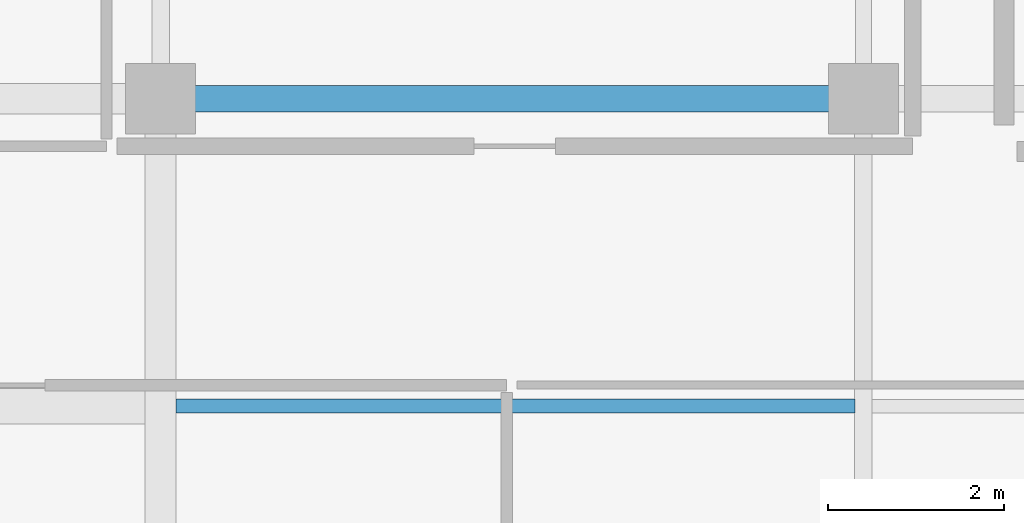
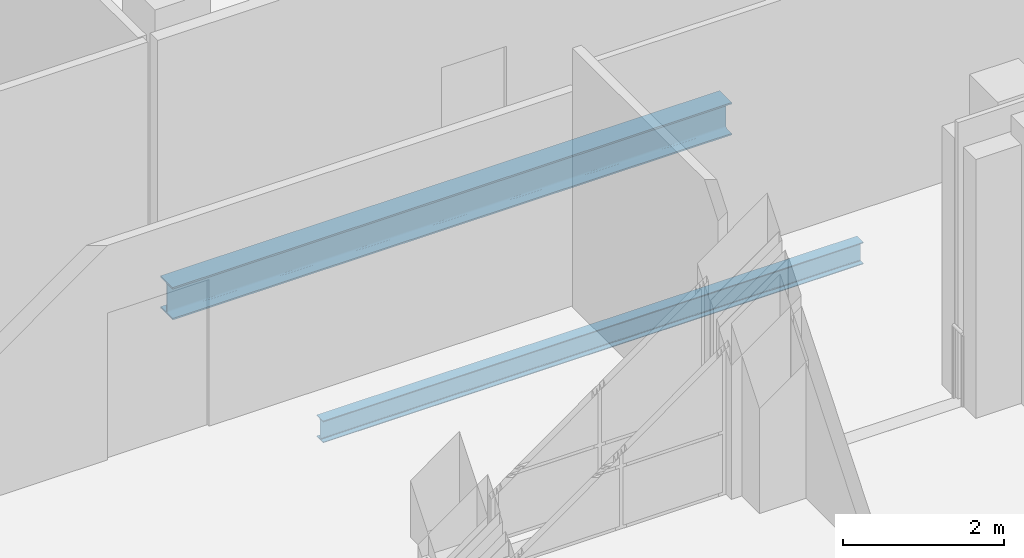
# One storey, part 90 of 193: 2 beams.
"""IFC4 building model written with IfcOpenShell, lengths in metres."""

from ifc_helpers import new_model, si_unit, direction, frame, origin, origin_2d, place, context, subcontext, project, spatial, i_section, extrude, material, material_profile, profile_set, type_object, element, save


model = new_model("IFC4")

# Units and contexts
model_context = context("Model", 3, precision=1e-05, world=origin(), true_north=direction((0.0, 1.0)))
body_context = subcontext(model_context, "Body", "Model", "MODEL_VIEW")
ifc_project = project(units=[si_unit("LENGTHUNIT", "METRE"), si_unit("AREAUNIT", "SQUARE_METRE"), si_unit("VOLUMEUNIT", "CUBIC_METRE"), si_unit("PLANEANGLEUNIT", "RADIAN"), si_unit("MASSUNIT", "GRAM", prefix="KILO")], contexts=[model_context])

# Site, building, storey
site_placement = place(None, origin())
site = spatial("IfcSite", under=ifc_project, at=site_placement, CompositionType="ELEMENT")
building_placement = place(site_placement, origin())
building = spatial("IfcBuilding", under=site, at=building_placement, Name="Qalavern Law Courts", CompositionType="ELEMENT")
storey_placement = place(building_placement, frame((0.0, 0.0, 10.199951171875)))
storey = spatial("IfcBuildingStorey", under=building, at=storey_placement, Name="L02", CompositionType="ELEMENT", Elevation=10.199951171875)

# Beams
ifc_material = material(Name="Steel S355", Category="steel")
ifc_material_profile_1 = material_profile(ifc_material, i_section(OverallWidth=0.300048828125, OverallDepth=0.489990234375, WebThickness=0.011962890625, FlangeThickness=0.02294921875, FilletRadius=0.027099609375, at=origin_2d()), Name="HEA 500")
ifc_profile_set_1 = profile_set([ifc_material_profile_1], Name="Steel S355")
beam_type_1 = type_object("IfcBeamType", Name="STR-BM-HEA500", PredefinedType="BEAM", material=ifc_profile_set_1)
beam_1_placement = place(storey_placement, frame((10.39990234375, 103.60009765625, -0.534912109375), z_axis=(1.0, 0.0, 0.0), x_axis=(0.0, 1.0, 0.0)))
element("IfcBeam", 1, at=beam_1_placement, inside=storey, type_object=beam_type_1, Name="V5 X-beam 2-2 L02", PredefinedType="BEAM", context=body_context, shape_type="SweptSolid", body=[
    extrude(i_section(OverallWidth=0.300048828125, OverallDepth=0.489990234375, WebThickness=0.011962890625, FlangeThickness=0.02294921875, FilletRadius=0.027099609375, at=origin_2d()), origin(), (0.0, 0.0, 1.0), 8.0),
])
ifc_material_profile_2 = material_profile(ifc_material, i_section(OverallWidth=0.159912109375, OverallDepth=0.330078125, WebThickness=0.007568359375, FlangeThickness=0.011474609375, FilletRadius=0.01806640625, at=origin_2d()), Name="IPE 330")
ifc_profile_set_2 = profile_set([ifc_material_profile_2], Name="Steel S355")
beam_type_2 = type_object("IfcBeamType", Name="STR-JST-IPE330", PredefinedType="JOIST", material=ifc_profile_set_2)
beam_2_placement = place(storey_placement, frame((10.572998046875, 100.10009765625, -0.454833984375), z_axis=(1.0, 0.0, 0.0), x_axis=(0.0, 1.0, 0.0)))
element("IfcBeam", 2, at=beam_2_placement, inside=storey, type_object=beam_type_2, Name="V5 secondary joist 2.1.1 L02", PredefinedType="JOIST", context=body_context, shape_type="SweptSolid", body=[
    extrude(i_section(OverallWidth=0.159912109375, OverallDepth=0.330078125, WebThickness=0.007568359375, FlangeThickness=0.011474609375, FilletRadius=0.01806640625, at=origin_2d()), origin(), (0.0, 0.0, 1.0), 7.72900390625),
])

save(model, "model.ifc")
